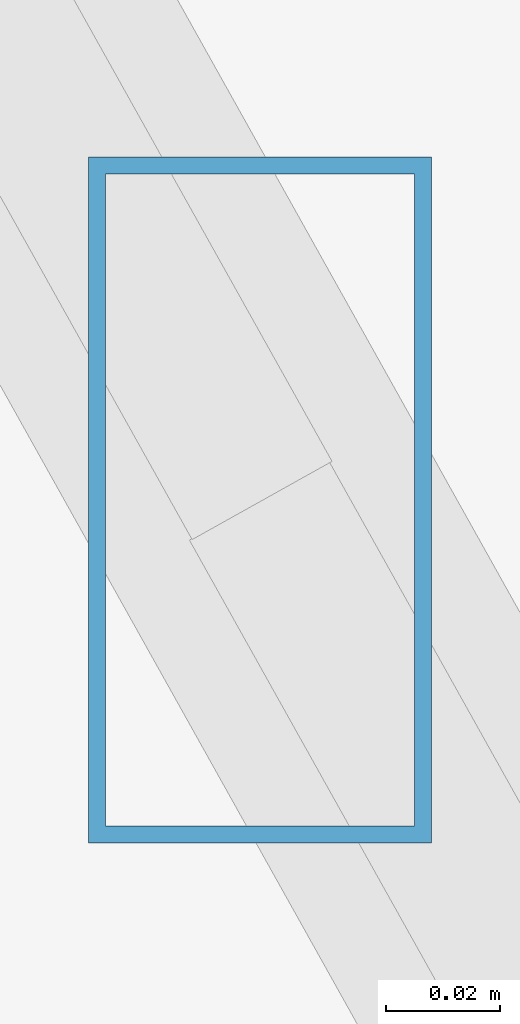
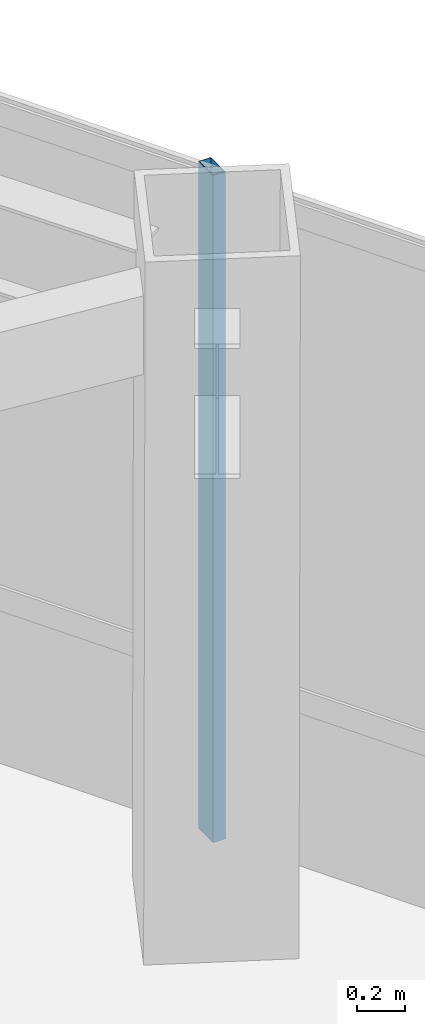
# One storey, part 23 of 47: 1 member, 1 element without a shape of its own.
"""IFC4 building model written with IfcOpenShell, lengths in metres."""

from ifc_helpers import new_model, si_unit, direction, frame, origin, origin_2d, place, context, subcontext, project, spatial, hollow_rectangle, extrude, source, transform, mapped, material, material_profile, profile_set, type_object, type_shapes, element, aggregate, save


model = new_model("IFC4")

# Units and contexts
model_context = context("Model", 3, precision=1e-05, world=origin(), true_north=direction((0.0, 1.0)))
body_context = subcontext(model_context, "Body", "Model", "MODEL_VIEW")
ifc_project = project(units=[si_unit("LENGTHUNIT", "METRE"), si_unit("AREAUNIT", "SQUARE_METRE"), si_unit("VOLUMEUNIT", "CUBIC_METRE"), si_unit("PLANEANGLEUNIT", "RADIAN"), si_unit("MASSUNIT", "GRAM", prefix="KILO")], contexts=[model_context])

# Site, building, storey
site_placement = place(None, origin())
site = spatial("IfcSite", under=ifc_project, at=site_placement, CompositionType="ELEMENT")
building_placement = place(site_placement, origin())
building = spatial("IfcBuilding", under=site, at=building_placement, Name="Caelisora Broadcast Tower", CompositionType="ELEMENT")
storey_placement = place(building_placement, frame((0.0, 0.0, 255.39990234375)))
storey = spatial("IfcBuildingStorey", under=building, at=storey_placement, Name="L67", CompositionType="ELEMENT", Elevation=255.39990234375)

# Curtain wall, member
ifc_material_1 = material(Name="Unitised Aluminium and Low-E Glass Curtain Wall", Category="glass")
curtain_wall_type = type_object("IfcCurtainWallType", Name="CW-Z5", PredefinedType="NOTDEFINED", material=ifc_material_1)
curtain_wall_placement = place(storey_placement, origin())
curtain_wall = element("IfcCurtainWall", 1, at=curtain_wall_placement, inside=storey, type_object=curtain_wall_type, Name="L67 curtain wall CW-Z5", PredefinedType="NOTDEFINED")
ifc_material_2 = material(Name="Aluminium 6063-T6 Anodised Terracotta Bronze", Category="aluminium")
ifc_material_profile = material_profile(ifc_material_2, hollow_rectangle(XDim=0.06005859375, YDim=0.1201171875, WallThickness=0.0029296875, at=origin_2d()), Name="Aluminium 6063-T6 Anodised Terracotta Bronze")
ifc_profile_set = profile_set([ifc_material_profile], Name="Aluminium 6063-T6 Anodised Terracotta Bronze")
member_type = type_object("IfcMemberType", Name="CWM-04", PredefinedType="MULLION", material=ifc_profile_set)
shared_shape = source(origin(), body_context, "Body", "SweptSolid", [
    extrude(hollow_rectangle(XDim=0.06005859375, YDim=0.1201171875, WallThickness=0.0029296875, at=origin_2d()), origin(), (0.0, 0.0, 1.0), 3.400146484375),
])
type_shapes(member_type, [shared_shape])
member_placement = place(storey_placement, frame((59.861328125, 16.54931640625, 0.0), z_axis=(0.0, 0.0, 1.0), x_axis=(1.0, 0.0, 0.0)))
member = element("IfcMember", 2, at=member_placement, type_object=member_type, Name="L67-CW-B03 mullion #2", PredefinedType="MULLION", context=body_context, shape_type="MappedRepresentation", body=[
    mapped(shared_shape, transform((0.0, 0.0, 0.0), scale=1.0)),
])
aggregate(curtain_wall, [member])

save(model, "model.ifc")
